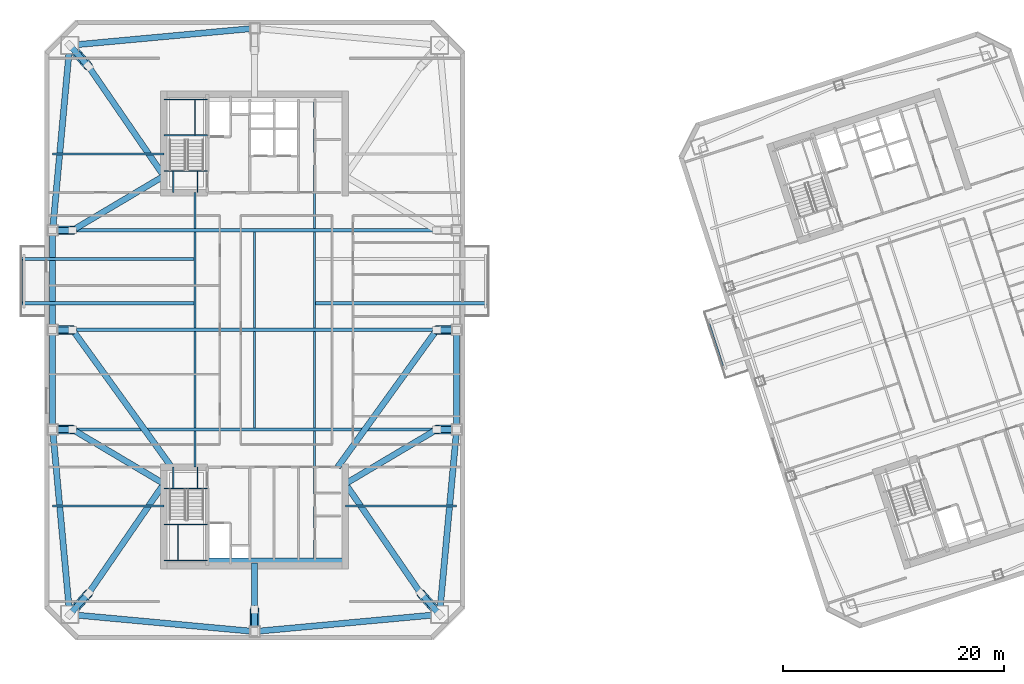
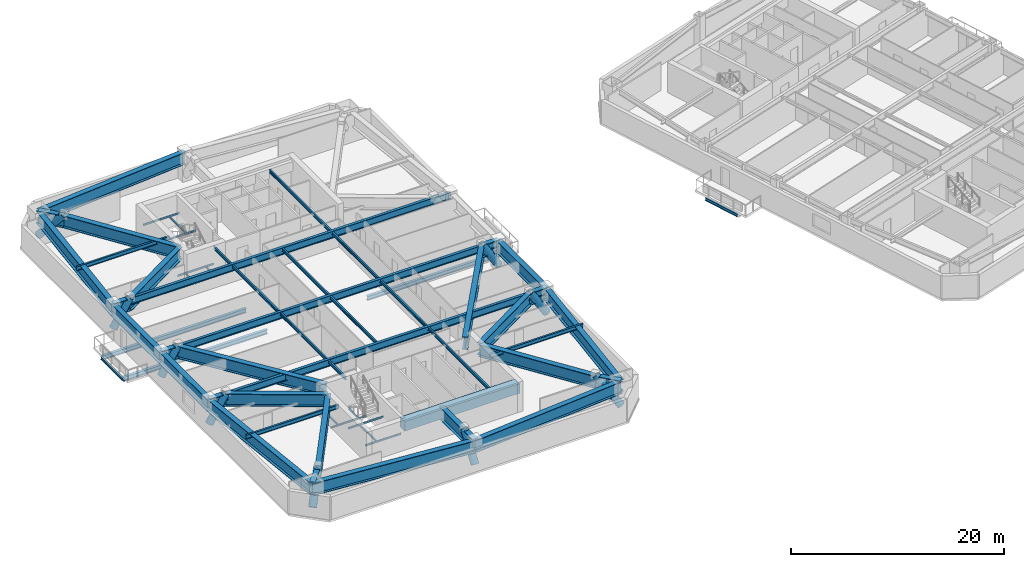
# One storey, part 3 of 17: 61 beams, 9 members.
"""IFC4 building model written with IfcOpenShell, lengths in metres."""

from ifc_helpers import new_model, si_unit, direction, frame, origin, origin_2d, place, context, subcontext, project, spatial, rectangle, hollow_circle, i_section, extrude, material, material_profile, profile_set, type_object, element, save


model = new_model("IFC4")

# Units and contexts
model_context = context("Model", 3, precision=1e-05, world=origin(), true_north=direction((0.0, 1.0)))
body_context = subcontext(model_context, "Body", "Model", "MODEL_VIEW")
ifc_project = project(units=[si_unit("LENGTHUNIT", "METRE"), si_unit("AREAUNIT", "SQUARE_METRE"), si_unit("VOLUMEUNIT", "CUBIC_METRE"), si_unit("PLANEANGLEUNIT", "RADIAN"), si_unit("MASSUNIT", "GRAM", prefix="KILO")], contexts=[model_context])

# Site, building, storey
site_placement = place(None, origin())
site = spatial("IfcSite", under=ifc_project, at=site_placement, CompositionType="ELEMENT")
building_placement = place(site_placement, origin())
building = spatial("IfcBuilding", under=site, at=building_placement, Name="Qiaolan Cultural Towers", CompositionType="ELEMENT")
storey_placement = place(building_placement, frame((0.0, 0.0, 156.39990234375)))
storey = spatial("IfcBuildingStorey", under=building, at=storey_placement, Name="L41", CompositionType="ELEMENT", Elevation=156.39990234375)

# Beams
ifc_material_1 = material(Name="Steel Q420GJB", Category="steel")
ifc_material_profile_1 = material_profile(ifc_material_1, i_section(OverallWidth=0.550048828125, OverallDepth=1.39990234375, WebThickness=0.031982421875, FlangeThickness=0.050048828125, at=origin_2d()), Name="BH1400x550x32x50")
ifc_profile_set_1 = profile_set([ifc_material_profile_1], Name="Steel Q420GJB")
beam_type_1 = type_object("IfcBeamType", Name="BM-BH1400x550x32x50", PredefinedType="BEAM", material=ifc_profile_set_1)
beam_1_placement = place(storey_placement, frame((13.2900390625, 8.2900390625, 2.530029296875), z_axis=(0.666572456248, 0.745440246145, 0.0), x_axis=(-0.745440246145, 0.666572456248, 0.0)))
element("IfcBeam", 1, at=beam_1_placement, inside=storey, type_object=beam_type_1, Name="L41 T1 Setback Transfer Girder MC-SW-A", PredefinedType="BEAM", context=body_context, shape_type="SweptSolid", body=[
    extrude(i_section(OverallWidth=0.550048828125, OverallDepth=1.39990234375, WebThickness=0.031982421875, FlangeThickness=0.050048828125, at=origin_2d()), origin(), (0.0, 0.0, 1.0), 2.53515625),
])
beam_2_placement = place(storey_placement, frame((14.97998046875, 10.179931640625, 2.530029296875), z_axis=(0.566526240795, 0.824043699382, 0.0), x_axis=(-0.824043699382, 0.566526240795, 0.0)))
element("IfcBeam", 2, at=beam_2_placement, inside=storey, type_object=beam_type_1, Name="L41 T1 Setback Transfer Girder MC-SW-B", PredefinedType="BEAM", context=body_context, shape_type="SweptSolid", body=[
    extrude(i_section(OverallWidth=0.550048828125, OverallDepth=1.39990234375, WebThickness=0.031982421875, FlangeThickness=0.050048828125, at=origin_2d()), origin(), (0.0, 0.0, 1.0), 12.038330078125),
])
beam_3_placement = place(storey_placement, frame((46.7099609375, 8.2900390625, 2.530029296875), z_axis=(-0.666572456248, 0.745440246145, 0.0), x_axis=(-0.745440246145, -0.666572456248, 0.0)))
element("IfcBeam", 3, at=beam_3_placement, inside=storey, type_object=beam_type_1, Name="L41 T1 Setback Transfer Girder MC-SE-A", PredefinedType="BEAM", context=body_context, shape_type="SweptSolid", body=[
    extrude(i_section(OverallWidth=0.550048828125, OverallDepth=1.39990234375, WebThickness=0.031982421875, FlangeThickness=0.050048828125, at=origin_2d()), origin(), (0.0, 0.0, 1.0), 2.53515625),
])
beam_4_placement = place(storey_placement, frame((45.02001953125, 10.179931640625, 2.530029296875), z_axis=(-0.566526240795, 0.824043699382, 0.0), x_axis=(-0.824043699382, -0.566526240795, 0.0)))
element("IfcBeam", 4, at=beam_4_placement, inside=storey, type_object=beam_type_1, Name="L41 T1 Setback Transfer Girder MC-SE-B", PredefinedType="BEAM", context=body_context, shape_type="SweptSolid", body=[
    extrude(i_section(OverallWidth=0.550048828125, OverallDepth=1.39990234375, WebThickness=0.031982421875, FlangeThickness=0.050048828125, at=origin_2d()), origin(), (0.0, 0.0, 1.0), 12.038330078125),
])
beam_5_placement = place(storey_placement, frame((13.2900390625, 59.7099609375, 2.530029296875), z_axis=(0.666572456248, -0.745440246145, 0.0), x_axis=(0.745440246145, 0.666572456248, 0.0)))
element("IfcBeam", 5, at=beam_5_placement, inside=storey, type_object=beam_type_1, Name="L41 T1 Setback Transfer Girder MC-NW-A", PredefinedType="BEAM", context=body_context, shape_type="SweptSolid", body=[
    extrude(i_section(OverallWidth=0.550048828125, OverallDepth=1.39990234375, WebThickness=0.031982421875, FlangeThickness=0.050048828125, at=origin_2d()), origin(), (0.0, 0.0, 1.0), 2.53515625),
])
beam_6_placement = place(storey_placement, frame((14.97998046875, 57.820068359375, 2.530029296875), z_axis=(0.566526240795, -0.824043699382, 0.0), x_axis=(0.824043699382, 0.566526240795, 0.0)))
element("IfcBeam", 6, at=beam_6_placement, inside=storey, type_object=beam_type_1, Name="L41 T1 Setback Transfer Girder MC-NW-B", PredefinedType="BEAM", context=body_context, shape_type="SweptSolid", body=[
    extrude(i_section(OverallWidth=0.550048828125, OverallDepth=1.39990234375, WebThickness=0.031982421875, FlangeThickness=0.050048828125, at=origin_2d()), origin(), (0.0, 0.0, 1.0), 12.038330078125),
])
beam_7_placement = place(storey_placement, frame((11.75, 25.0, 2.530029296875), z_axis=(1.0, 0.0, 0.0), x_axis=(0.0, 1.0, 0.0)))
element("IfcBeam", 7, at=beam_7_placement, inside=storey, type_object=beam_type_1, Name="L41 T1 Setback Transfer Girder PC-W1-A", PredefinedType="BEAM", context=body_context, shape_type="SweptSolid", body=[
    extrude(i_section(OverallWidth=0.550048828125, OverallDepth=1.39990234375, WebThickness=0.031982421875, FlangeThickness=0.050048828125, at=origin_2d()), origin(), (0.0, 0.0, 1.0), 1.800048828125),
])
beam_8_placement = place(storey_placement, frame((13.550048828125, 25.0, 2.530029296875), z_axis=(0.859787719832, -0.510651619822, 0.0), x_axis=(0.510651619822, 0.859787719832, 0.0)))
element("IfcBeam", 8, at=beam_8_placement, inside=storey, type_object=beam_type_1, Name="L41 T1 Setback Transfer Girder PC-W1-B", PredefinedType="BEAM", context=body_context, shape_type="SweptSolid", body=[
    extrude(i_section(OverallWidth=0.550048828125, OverallDepth=1.39990234375, WebThickness=0.031982421875, FlangeThickness=0.050048828125, at=origin_2d()), origin(), (0.0, 0.0, 1.0), 9.595458984375),
])
beam_9_placement = place(storey_placement, frame((11.75, 34.0, 2.530029296875), z_axis=(1.0, 0.0, 0.0), x_axis=(0.0, 1.0, 0.0)))
element("IfcBeam", 9, at=beam_9_placement, inside=storey, type_object=beam_type_1, Name="L41 T1 Setback Transfer Girder PC-W2-A", PredefinedType="BEAM", context=body_context, shape_type="SweptSolid", body=[
    extrude(i_section(OverallWidth=0.550048828125, OverallDepth=1.39990234375, WebThickness=0.031982421875, FlangeThickness=0.050048828125, at=origin_2d()), origin(), (0.0, 0.0, 1.0), 1.800048828125),
])
beam_10_placement = place(storey_placement, frame((13.550048828125, 34.0, 2.530029296875), z_axis=(0.585252708545, -0.810850952482, 0.0), x_axis=(0.810850952482, 0.585252708545, 0.0)))
element("IfcBeam", 10, at=beam_10_placement, inside=storey, type_object=beam_type_1, Name="L41 T1 Setback Transfer Girder PC-W2-B", PredefinedType="BEAM", context=body_context, shape_type="SweptSolid", body=[
    extrude(i_section(OverallWidth=0.550048828125, OverallDepth=1.39990234375, WebThickness=0.031982421875, FlangeThickness=0.050048828125, at=origin_2d()), origin(), (0.0, 0.0, 1.0), 15.29248046875),
])
beam_11_placement = place(storey_placement, frame((11.75, 43.0, 2.530029296875), z_axis=(1.0, 0.0, 0.0), x_axis=(0.0, 1.0, 0.0)))
element("IfcBeam", 11, at=beam_11_placement, inside=storey, type_object=beam_type_1, Name="L41 T1 Setback Transfer Girder PC-W3-A", PredefinedType="BEAM", context=body_context, shape_type="SweptSolid", body=[
    extrude(i_section(OverallWidth=0.550048828125, OverallDepth=1.39990234375, WebThickness=0.031982421875, FlangeThickness=0.050048828125, at=origin_2d()), origin(), (0.0, 0.0, 1.0), 1.800048828125),
])
beam_12_placement = place(storey_placement, frame((13.550048828125, 43.0, 2.530029296875), z_axis=(0.859787719832, 0.510651619822, 0.0), x_axis=(-0.510651619822, 0.859787719832, 0.0)))
element("IfcBeam", 12, at=beam_12_placement, inside=storey, type_object=beam_type_1, Name="L41 T1 Setback Transfer Girder PC-W3-B", PredefinedType="BEAM", context=body_context, shape_type="SweptSolid", body=[
    extrude(i_section(OverallWidth=0.550048828125, OverallDepth=1.39990234375, WebThickness=0.031982421875, FlangeThickness=0.050048828125, at=origin_2d()), origin(), (0.0, 0.0, 1.0), 9.595458984375),
])
beam_13_placement = place(storey_placement, frame((48.25, 25.0, 2.530029296875), z_axis=(-1.0, 0.0, 0.0), x_axis=(0.0, -1.0, 0.0)))
element("IfcBeam", 13, at=beam_13_placement, inside=storey, type_object=beam_type_1, Name="L41 T1 Setback Transfer Girder PC-E1-A", PredefinedType="BEAM", context=body_context, shape_type="SweptSolid", body=[
    extrude(i_section(OverallWidth=0.550048828125, OverallDepth=1.39990234375, WebThickness=0.031982421875, FlangeThickness=0.050048828125, at=origin_2d()), origin(), (0.0, 0.0, 1.0), 1.800048828125),
])
beam_14_placement = place(storey_placement, frame((46.449951171875, 25.0, 2.530029296875), z_axis=(-0.859787719832, -0.510651619822, 0.0), x_axis=(0.510651619822, -0.859787719832, 0.0)))
element("IfcBeam", 14, at=beam_14_placement, inside=storey, type_object=beam_type_1, Name="L41 T1 Setback Transfer Girder PC-E1-B", PredefinedType="BEAM", context=body_context, shape_type="SweptSolid", body=[
    extrude(i_section(OverallWidth=0.550048828125, OverallDepth=1.39990234375, WebThickness=0.031982421875, FlangeThickness=0.050048828125, at=origin_2d()), origin(), (0.0, 0.0, 1.0), 9.595458984375),
])
beam_15_placement = place(storey_placement, frame((48.25, 34.0, 2.530029296875), z_axis=(-1.0, 0.0, 0.0), x_axis=(0.0, -1.0, 0.0)))
element("IfcBeam", 15, at=beam_15_placement, inside=storey, type_object=beam_type_1, Name="L41 T1 Setback Transfer Girder PC-E2-A", PredefinedType="BEAM", context=body_context, shape_type="SweptSolid", body=[
    extrude(i_section(OverallWidth=0.550048828125, OverallDepth=1.39990234375, WebThickness=0.031982421875, FlangeThickness=0.050048828125, at=origin_2d()), origin(), (0.0, 0.0, 1.0), 1.800048828125),
])
beam_16_placement = place(storey_placement, frame((46.449951171875, 34.0, 2.530029296875), z_axis=(-0.585252708545, -0.810850952482, 0.0), x_axis=(0.810850952482, -0.585252708545, 0.0)))
element("IfcBeam", 16, at=beam_16_placement, inside=storey, type_object=beam_type_1, Name="L41 T1 Setback Transfer Girder PC-E2-B", PredefinedType="BEAM", context=body_context, shape_type="SweptSolid", body=[
    extrude(i_section(OverallWidth=0.550048828125, OverallDepth=1.39990234375, WebThickness=0.031982421875, FlangeThickness=0.050048828125, at=origin_2d()), origin(), (0.0, 0.0, 1.0), 15.29248046875),
])
beam_17_placement = place(storey_placement, frame((30.0, 6.75, 2.530029296875), z_axis=(0.0, 1.0, 0.0), x_axis=(-1.0, 0.0, 0.0)))
element("IfcBeam", 17, at=beam_17_placement, inside=storey, type_object=beam_type_1, Name="L41 T1 Setback Transfer Girder PC-S0-A", PredefinedType="BEAM", context=body_context, shape_type="SweptSolid", body=[
    extrude(i_section(OverallWidth=0.550048828125, OverallDepth=1.39990234375, WebThickness=0.031982421875, FlangeThickness=0.050048828125, at=origin_2d()), origin(), (0.0, 0.0, 1.0), 2.0),
])
beam_18_placement = place(storey_placement, frame((30.0, 8.75, 2.530029296875), z_axis=(0.0, 1.0, 0.0), x_axis=(-1.0, 0.0, 0.0)))
element("IfcBeam", 18, at=beam_18_placement, inside=storey, type_object=beam_type_1, Name="L41 T1 Setback Transfer Girder PC-S0-B", PredefinedType="BEAM", context=body_context, shape_type="SweptSolid", body=[
    extrude(i_section(OverallWidth=0.550048828125, OverallDepth=1.39990234375, WebThickness=0.031982421875, FlangeThickness=0.050048828125, at=origin_2d()), origin(), (0.0, 0.0, 1.0), 4.199951171875),
])
for number, where, z_axis, x_axis, name in (
    (19, (13.2900390625, 8.2900390625, 2.489990234375), (0.995779862064, -0.09177399582, 0.0), (0.09177399582, 0.995779862064, 0.0), "L41 T1 Perimeter Spandrel Beam 1"),
    (20, (30.0, 6.75, 2.489990234375), (0.995779862064, 0.09177399582, 0.0), (-0.09177399582, 0.995779862064, 0.0), "L41 T1 Perimeter Spandrel Beam 2"),
    (21, (46.7099609375, 8.2900390625, 2.489990234375), (0.09177399582, 0.995779862064, 0.0), (-0.995779862064, 0.09177399582, 0.0), "L41 T1 Perimeter Spandrel Beam 3"),
):
    element("IfcBeam", number, at=place(storey_placement, frame(where, z_axis=z_axis, x_axis=x_axis)), inside=storey, type_object=beam_type_1, Name=name, PredefinedType="BEAM", context=body_context, shape_type="SweptSolid", body=[
        extrude(i_section(OverallWidth=0.550048828125, OverallDepth=1.39990234375, WebThickness=0.031982421875, FlangeThickness=0.050048828125, at=origin_2d()), origin(), (0.0, 0.0, 1.0), 16.78076171875),
    ])
beam_19_placement = place(storey_placement, frame((48.25, 25.0, 2.489990234375), z_axis=(0.0, 1.0, 0.0), x_axis=(-1.0, 0.0, 0.0)))
element("IfcBeam", 22, at=beam_19_placement, inside=storey, type_object=beam_type_1, Name="L41 T1 Perimeter Spandrel Beam 4", PredefinedType="BEAM", context=body_context, shape_type="SweptSolid", body=[
    extrude(i_section(OverallWidth=0.550048828125, OverallDepth=1.39990234375, WebThickness=0.031982421875, FlangeThickness=0.050048828125, at=origin_2d()), origin(), (0.0, 0.0, 1.0), 9.0),
])
for number, where, z_axis, x_axis, name in (
    (23, (30.0, 61.25, 2.489990234375), (-0.995779862064, -0.09177399582, 0.0), (0.09177399582, -0.995779862064, 0.0), "L41 T1 Perimeter Spandrel Beam 8"),
    (24, (13.2900390625, 59.7099609375, 2.489990234375), (-0.09177399582, -0.995779862064, 0.0), (0.995779862064, -0.09177399582, 0.0), "L41 T1 Perimeter Spandrel Beam 9"),
):
    element("IfcBeam", number, at=place(storey_placement, frame(where, z_axis=z_axis, x_axis=x_axis)), inside=storey, type_object=beam_type_1, Name=name, PredefinedType="BEAM", context=body_context, shape_type="SweptSolid", body=[
        extrude(i_section(OverallWidth=0.550048828125, OverallDepth=1.39990234375, WebThickness=0.031982421875, FlangeThickness=0.050048828125, at=origin_2d()), origin(), (0.0, 0.0, 1.0), 16.78076171875),
    ])
for number, where, z_axis, x_axis, name in (
    (25, (11.75, 43.0, 2.489990234375), (0.0, -1.0, 0.0), (1.0, 0.0, 0.0), "L41 T1 Perimeter Spandrel Beam 10"),
    (26, (11.75, 34.0, 2.489990234375), (0.0, -1.0, 0.0), (1.0, 0.0, 0.0), "L41 T1 Perimeter Spandrel Beam 11"),
):
    element("IfcBeam", number, at=place(storey_placement, frame(where, z_axis=z_axis, x_axis=x_axis)), inside=storey, type_object=beam_type_1, Name=name, PredefinedType="BEAM", context=body_context, shape_type="SweptSolid", body=[
        extrude(i_section(OverallWidth=0.550048828125, OverallDepth=1.39990234375, WebThickness=0.031982421875, FlangeThickness=0.050048828125, at=origin_2d()), origin(), (0.0, 0.0, 1.0), 9.0),
    ])
beam_20_placement = place(storey_placement, frame((11.75, 25.0, 2.489990234375), z_axis=(0.09177399582, -0.995779862064, 0.0), x_axis=(0.995779862064, 0.09177399582, 0.0)))
element("IfcBeam", 27, at=beam_20_placement, inside=storey, type_object=beam_type_1, Name="L41 T1 Perimeter Spandrel Beam 12", PredefinedType="BEAM", context=body_context, shape_type="SweptSolid", body=[
    extrude(i_section(OverallWidth=0.550048828125, OverallDepth=1.39990234375, WebThickness=0.031982421875, FlangeThickness=0.050048828125, at=origin_2d()), origin(), (0.0, 0.0, 1.0), 16.78076171875),
])
ifc_material_2 = material(Name="Steel Q355B", Category="steel")
ifc_material_profile_2 = material_profile(ifc_material_2, i_section(OverallWidth=0.300048828125, OverallDepth=0.488037109375, WebThickness=0.010986328125, FlangeThickness=0.01806640625, at=origin_2d()), Name="HM488x300x11x18")
ifc_profile_set_2 = profile_set([ifc_material_profile_2], Name="Steel Q355B")
beam_type_2 = type_object("IfcBeamType", Name="BM-HM488x300x11x18", PredefinedType="BEAM", material=ifc_profile_set_2)
for number, where, z_axis, x_axis, name in (
    (28, (24.60009765625, 36.39990234375, -0.52392578125), (-1.0, 0.0, 0.0), (0.0, -1.0, 0.0), "L41 T1 Tree Balcony Back-Spanned Bracket Beam"),
    (29, (24.60009765625, 40.39990234375, -0.52392578125), (-1.0, 0.0, 0.0), (0.0, -1.0, 0.0), "L41 T1 Tree Balcony Back-Spanned Bracket Beam"),
    (30, (35.39990234375, 36.39990234375, -0.52392578125), (1.0, 0.0, 0.0), (0.0, 1.0, 0.0), "L41 T1 Tree Balcony Back-Spanned Bracket Beam"),
):
    element("IfcBeam", number, at=place(storey_placement, frame(where, z_axis=z_axis, x_axis=x_axis)), inside=storey, type_object=beam_type_2, Name=name, PredefinedType="BEAM", context=body_context, shape_type="SweptSolid", body=[
        extrude(i_section(OverallWidth=0.300048828125, OverallDepth=0.488037109375, WebThickness=0.010986328125, FlangeThickness=0.01806640625, at=origin_2d()), origin(), (0.0, 0.0, 1.0), 15.650146484375),
    ])
ifc_material_3 = material(Name="Steel Q355B", Category="steel")
ifc_material_profile_3 = material_profile(ifc_material_3, i_section(OverallWidth=0.300048828125, OverallDepth=0.800048828125, WebThickness=0.013916015625, FlangeThickness=0.02587890625, at=origin_2d()), Name="HN800x300x14x26")
ifc_profile_set_3 = profile_set([ifc_material_profile_3], Name="Steel Q355B")
beam_type_3 = type_object("IfcBeamType", Name="BM-HN800x300x14x26", PredefinedType="BEAM", material=ifc_profile_set_3)
for number, where, z_axis, x_axis, name in (
    (31, (11.75, 25.0, 2.7900390625), (1.0, 0.0, 0.0), (0.0, 1.0, 0.0), "L41 T1 Primary Transverse Girder V1"),
    (32, (11.75, 34.0, 2.7900390625), (1.0, 0.0, 0.0), (0.0, 1.0, 0.0), "L41 T1 Primary Transverse Girder V2"),
    (33, (11.75, 43.0, 2.7900390625), (1.0, 0.0, 0.0), (0.0, 1.0, 0.0), "L41 T1 Primary Transverse Girder V3"),
):
    element("IfcBeam", number, at=place(storey_placement, frame(where, z_axis=z_axis, x_axis=x_axis)), inside=storey, type_object=beam_type_3, Name=name, PredefinedType="BEAM", context=body_context, shape_type="SweptSolid", body=[
        extrude(i_section(OverallWidth=0.300048828125, OverallDepth=0.800048828125, WebThickness=0.013916015625, FlangeThickness=0.02587890625, at=origin_2d()), origin(), (0.0, 0.0, 1.0), 36.5),
    ])
ifc_material_4 = material(Name="Steel Q355B", Category="steel")
ifc_material_profile_4 = material_profile(ifc_material_4, i_section(OverallWidth=0.175048828125, OverallDepth=0.35009765625, WebThickness=0.007080078125, FlangeThickness=0.010986328125, at=origin_2d()), Name="HN350x175x7x11")
ifc_profile_set_4 = profile_set([ifc_material_profile_4], Name="Steel Q355B")
beam_type_4 = type_object("IfcBeamType", Name="BM-JST-HN350x175x7x11", PredefinedType="JOIST", material=ifc_profile_set_4)
for number, where, z_axis, x_axis, name in (
    (34, (8.949951171875, 36.39990234375, -0.52392578125), (0.0, 1.0, 0.0), (-1.0, 0.0, 0.0), "L41 T1 Tree Balcony Outer Edge Beam"),
    (35, (72.281982421875, 30.7666015625, -0.52392578125), (-0.309022586479, 0.951054699292, 0.0), (-0.951054699292, -0.309022586479, 0.0), "L41 T2 Tree Balcony Outer Edge Beam"),
):
    element("IfcBeam", number, at=place(storey_placement, frame(where, z_axis=z_axis, x_axis=x_axis)), inside=storey, type_object=beam_type_4, Name=name, PredefinedType="JOIST", context=body_context, shape_type="SweptSolid", body=[
        extrude(i_section(OverallWidth=0.175048828125, OverallDepth=0.35009765625, WebThickness=0.007080078125, FlangeThickness=0.010986328125, at=origin_2d()), origin(), (0.0, 0.0, 1.0), 4.0),
    ])
beam_21_placement = place(storey_placement, frame((24.60009765625, 21.60009765625, 3.01513671875), z_axis=(0.0, 1.0, 0.0), x_axis=(-1.0, 0.0, 0.0)))
element("IfcBeam", 36, at=beam_21_placement, inside=storey, type_object=beam_type_4, Name="L41 T1 Secondary Floor Joist U1-1", PredefinedType="JOIST", context=body_context, shape_type="SweptSolid", body=[
    extrude(i_section(OverallWidth=0.175048828125, OverallDepth=0.35009765625, WebThickness=0.007080078125, FlangeThickness=0.010986328125, at=origin_2d()), origin(), (0.0, 0.0, 1.0), 3.25),
])
for number, where, z_axis, x_axis, name in (
    (37, (24.60009765625, 25.14990234375, 3.01513671875), (0.0, 1.0, 0.0), (-1.0, 0.0, 0.0), "L41 T1 Secondary Floor Joist U1-2"),
    (38, (24.60009765625, 34.14990234375, 3.01513671875), (0.0, 1.0, 0.0), (-1.0, 0.0, 0.0), "L41 T1 Secondary Floor Joist U1-3"),
):
    element("IfcBeam", number, at=place(storey_placement, frame(where, z_axis=z_axis, x_axis=x_axis)), inside=storey, type_object=beam_type_4, Name=name, PredefinedType="JOIST", context=body_context, shape_type="SweptSolid", body=[
        extrude(i_section(OverallWidth=0.175048828125, OverallDepth=0.35009765625, WebThickness=0.007080078125, FlangeThickness=0.010986328125, at=origin_2d()), origin(), (0.0, 0.0, 1.0), 8.7001953125),
    ])
beam_22_placement = place(storey_placement, frame((24.60009765625, 43.14990234375, 3.01513671875), z_axis=(0.0, 1.0, 0.0), x_axis=(-1.0, 0.0, 0.0)))
element("IfcBeam", 39, at=beam_22_placement, inside=storey, type_object=beam_type_4, Name="L41 T1 Secondary Floor Joist U1-4", PredefinedType="JOIST", context=body_context, shape_type="SweptSolid", body=[
    extrude(i_section(OverallWidth=0.175048828125, OverallDepth=0.35009765625, WebThickness=0.007080078125, FlangeThickness=0.010986328125, at=origin_2d()), origin(), (0.0, 0.0, 1.0), 3.25),
])
for number, where, z_axis, x_axis, name in (
    (40, (30.0, 25.14990234375, 3.01513671875), (0.0, 1.0, 0.0), (-1.0, 0.0, 0.0), "L41 T1 Secondary Floor Joist U2-2"),
    (41, (30.0, 34.14990234375, 3.01513671875), (0.0, 1.0, 0.0), (-1.0, 0.0, 0.0), "L41 T1 Secondary Floor Joist U2-3"),
):
    element("IfcBeam", number, at=place(storey_placement, frame(where, z_axis=z_axis, x_axis=x_axis)), inside=storey, type_object=beam_type_4, Name=name, PredefinedType="JOIST", context=body_context, shape_type="SweptSolid", body=[
        extrude(i_section(OverallWidth=0.175048828125, OverallDepth=0.35009765625, WebThickness=0.007080078125, FlangeThickness=0.010986328125, at=origin_2d()), origin(), (0.0, 0.0, 1.0), 8.7001953125),
    ])
beam_23_placement = place(storey_placement, frame((35.39990234375, 13.39990234375, 3.01513671875), z_axis=(0.0, 1.0, 0.0), x_axis=(-1.0, 0.0, 0.0)))
element("IfcBeam", 42, at=beam_23_placement, inside=storey, type_object=beam_type_4, Name="L41 T1 Secondary Floor Joist U3-1", PredefinedType="JOIST", context=body_context, shape_type="SweptSolid", body=[
    extrude(i_section(OverallWidth=0.175048828125, OverallDepth=0.35009765625, WebThickness=0.007080078125, FlangeThickness=0.010986328125, at=origin_2d()), origin(), (0.0, 0.0, 1.0), 11.4501953125),
])
for number, where, z_axis, x_axis, name in (
    (43, (35.39990234375, 25.14990234375, 3.01513671875), (0.0, 1.0, 0.0), (-1.0, 0.0, 0.0), "L41 T1 Secondary Floor Joist U3-2"),
    (44, (35.39990234375, 34.14990234375, 3.01513671875), (0.0, 1.0, 0.0), (-1.0, 0.0, 0.0), "L41 T1 Secondary Floor Joist U3-3"),
):
    element("IfcBeam", number, at=place(storey_placement, frame(where, z_axis=z_axis, x_axis=x_axis)), inside=storey, type_object=beam_type_4, Name=name, PredefinedType="JOIST", context=body_context, shape_type="SweptSolid", body=[
        extrude(i_section(OverallWidth=0.175048828125, OverallDepth=0.35009765625, WebThickness=0.007080078125, FlangeThickness=0.010986328125, at=origin_2d()), origin(), (0.0, 0.0, 1.0), 8.7001953125),
    ])
beam_24_placement = place(storey_placement, frame((35.39990234375, 43.14990234375, 3.01513671875), z_axis=(0.0, 1.0, 0.0), x_axis=(-1.0, 0.0, 0.0)))
element("IfcBeam", 45, at=beam_24_placement, inside=storey, type_object=beam_type_4, Name="L41 T1 Secondary Floor Joist U3-4", PredefinedType="JOIST", context=body_context, shape_type="SweptSolid", body=[
    extrude(i_section(OverallWidth=0.175048828125, OverallDepth=0.35009765625, WebThickness=0.007080078125, FlangeThickness=0.010986328125, at=origin_2d()), origin(), (0.0, 0.0, 1.0), 11.4501953125),
])
ifc_material_5 = material(Name="Steel Q355B", Category="steel")
ifc_material_profile_5 = material_profile(ifc_material_5, i_section(OverallWidth=0.199951171875, OverallDepth=0.449951171875, WebThickness=0.009033203125, FlangeThickness=0.013916015625, at=origin_2d()), Name="HN450x200x9x14")
ifc_profile_set_5 = profile_set([ifc_material_profile_5], Name="Steel Q355B")
beam_type_5 = type_object("IfcBeamType", Name="BM-LNT-HN450x200x9x14", PredefinedType="LINTEL", material=ifc_profile_set_5)
for number, where, z_axis, x_axis, name in (
    (46, (21.800048828125, 18.10009765625, 2.965087890625), (-1.0, 0.0, 0.0), (0.0, -1.0, 0.0), "L41 T1 Core Flank Tie Lintel WS"),
    (47, (21.800048828125, 49.89990234375, 2.965087890625), (-1.0, 0.0, 0.0), (0.0, -1.0, 0.0), "L41 T1 Core Flank Tie Lintel WN"),
    (48, (38.199951171875, 18.10009765625, 2.965087890625), (1.0, 0.0, 0.0), (0.0, 1.0, 0.0), "L41 T1 Core Flank Tie Lintel ES"),
):
    element("IfcBeam", number, at=place(storey_placement, frame(where, z_axis=z_axis, x_axis=x_axis)), inside=storey, type_object=beam_type_5, Name=name, PredefinedType="LINTEL", context=body_context, shape_type="SweptSolid", body=[
        extrude(i_section(OverallWidth=0.199951171875, OverallDepth=0.449951171875, WebThickness=0.009033203125, FlangeThickness=0.013916015625, at=origin_2d()), origin(), (0.0, 0.0, 1.0), 10.050048828125),
    ])
ifc_material_6 = material(Name="Concrete C50", Category="concrete")
ifc_material_profile_6 = material_profile(ifc_material_6, rectangle(XDim=0.89990234375, YDim=1.10009765625, at=origin_2d()), Name="RC900x1100")
ifc_profile_set_6 = profile_set([ifc_material_profile_6], Name="Concrete C50")
beam_type_6 = type_object("IfcBeamType", Name="BM-RC900x1100", PredefinedType="BEAM", material=ifc_profile_set_6)
beam_25_placement = place(storey_placement, frame((25.719970703125, 12.949951171875, 2.64013671875), z_axis=(1.0, 0.0, 0.0), x_axis=(0.0, 1.0, 0.0)))
element("IfcBeam", 49, at=beam_25_placement, inside=storey, type_object=beam_type_6, Name="L41 T1 Core Header Girder S", PredefinedType="BEAM", context=body_context, shape_type="SweptSolid", body=[
    extrude(rectangle(XDim=0.89990234375, YDim=1.10009765625, at=origin_2d()), origin(), (0.0, 0.0, 1.0), 12.47998046875),
])
ifc_material_7 = material(Name="Steel Q355B", Category="steel")
ifc_material_profile_7 = material_profile(ifc_material_7, i_section(OverallWidth=0.10009765625, OverallDepth=0.199951171875, WebThickness=0.005615234375, FlangeThickness=0.008056640625, at=origin_2d()), Name="HN200x100x5.5x8")
ifc_profile_set_7 = profile_set([ifc_material_profile_7], Name="Steel Q355B")
beam_type_7 = type_object("IfcBeamType", Name="BM-STTRIM-200", PredefinedType="BEAM", material=ifc_profile_set_7)
beam_26_placement = place(storey_placement, frame((21.800048828125, 19.659912109375, -0.4599609375), z_axis=(1.0, 0.0, 0.0), x_axis=(0.0, 1.0, 0.0)))
element("IfcBeam", 50, at=beam_26_placement, inside=storey, type_object=beam_type_7, Name="L41 ST-W1 Floor Landing Header Beam", PredefinedType="BEAM", context=body_context, shape_type="SweptSolid", body=[
    extrude(i_section(OverallWidth=0.10009765625, OverallDepth=0.199951171875, WebThickness=0.005615234375, FlangeThickness=0.008056640625, at=origin_2d()), origin(), (0.0, 0.0, 1.0), 3.919921875),
])
for number, where, z_axis, x_axis, name in (
    (51, (22.64990234375, 21.60009765625, -0.4599609375), (0.0, -1.0, 0.0), (1.0, 0.0, 0.0), "L41 ST-W1 Floor Landing Stringer 1"),
    (52, (24.85009765625, 21.60009765625, -0.4599609375), (0.0, -1.0, 0.0), (1.0, 0.0, 0.0), "L41 ST-W1 Floor Landing Stringer 2"),
):
    element("IfcBeam", number, at=place(storey_placement, frame(where, z_axis=z_axis, x_axis=x_axis)), inside=storey, type_object=beam_type_7, Name=name, PredefinedType="BEAM", context=body_context, shape_type="SweptSolid", body=[
        extrude(i_section(OverallWidth=0.10009765625, OverallDepth=0.199951171875, WebThickness=0.005615234375, FlangeThickness=0.008056640625, at=origin_2d()), origin(), (0.0, 0.0, 1.0), 1.940185546875),
    ])
for number, where, z_axis, x_axis, name in (
    (53, (21.800048828125, 16.411376953125, 1.425048828125), (1.0, 0.0, 0.0), (0.0, 1.0, 0.0), "L41 ST-W1 Stair Landing Support Beam 1-1"),
    (54, (21.800048828125, 13.179931640625, 1.425048828125), (1.0, 0.0, 0.0), (0.0, 1.0, 0.0), "L41 ST-W1 Stair Landing Support Beam 1-2"),
):
    element("IfcBeam", number, at=place(storey_placement, frame(where, z_axis=z_axis, x_axis=x_axis)), inside=storey, type_object=beam_type_7, Name=name, PredefinedType="BEAM", context=body_context, shape_type="SweptSolid", body=[
        extrude(i_section(OverallWidth=0.10009765625, OverallDepth=0.199951171875, WebThickness=0.005615234375, FlangeThickness=0.008056640625, at=origin_2d()), origin(), (0.0, 0.0, 1.0), 3.919921875),
    ])
beam_27_placement = place(storey_placement, frame((23.070068359375, 16.411376953125, 1.425048828125), z_axis=(0.0, -1.0, 0.0), x_axis=(1.0, 0.0, 0.0)))
element("IfcBeam", 55, at=beam_27_placement, inside=storey, type_object=beam_type_7, Name="L41 ST-W1 Stair Landing Trimmer 1", PredefinedType="BEAM", context=body_context, shape_type="SweptSolid", body=[
    extrude(i_section(OverallWidth=0.10009765625, OverallDepth=0.199951171875, WebThickness=0.005615234375, FlangeThickness=0.008056640625, at=origin_2d()), origin(), (0.0, 0.0, 1.0), 3.2314453125),
])
beam_28_placement = place(storey_placement, frame((21.800048828125, 48.340087890625, -0.4599609375), z_axis=(1.0, 0.0, 0.0), x_axis=(0.0, 1.0, 0.0)))
element("IfcBeam", 56, at=beam_28_placement, inside=storey, type_object=beam_type_7, Name="L41 ST-W2 Floor Landing Header Beam", PredefinedType="BEAM", context=body_context, shape_type="SweptSolid", body=[
    extrude(i_section(OverallWidth=0.10009765625, OverallDepth=0.199951171875, WebThickness=0.005615234375, FlangeThickness=0.008056640625, at=origin_2d()), origin(), (0.0, 0.0, 1.0), 3.919921875),
])
for number, where, z_axis, x_axis, name in (
    (57, (22.64990234375, 46.39990234375, -0.4599609375), (0.0, 1.0, 0.0), (-1.0, 0.0, 0.0), "L41 ST-W2 Floor Landing Stringer 1"),
    (58, (24.85009765625, 46.39990234375, -0.4599609375), (0.0, 1.0, 0.0), (-1.0, 0.0, 0.0), "L41 ST-W2 Floor Landing Stringer 2"),
):
    element("IfcBeam", number, at=place(storey_placement, frame(where, z_axis=z_axis, x_axis=x_axis)), inside=storey, type_object=beam_type_7, Name=name, PredefinedType="BEAM", context=body_context, shape_type="SweptSolid", body=[
        extrude(i_section(OverallWidth=0.10009765625, OverallDepth=0.199951171875, WebThickness=0.005615234375, FlangeThickness=0.008056640625, at=origin_2d()), origin(), (0.0, 0.0, 1.0), 1.940185546875),
    ])
for number, where, z_axis, x_axis, name in (
    (59, (21.800048828125, 51.588623046875, 1.425048828125), (1.0, 0.0, 0.0), (0.0, 1.0, 0.0), "L41 ST-W2 Stair Landing Support Beam 1-1"),
    (60, (21.800048828125, 54.820068359375, 1.425048828125), (1.0, 0.0, 0.0), (0.0, 1.0, 0.0), "L41 ST-W2 Stair Landing Support Beam 1-2"),
):
    element("IfcBeam", number, at=place(storey_placement, frame(where, z_axis=z_axis, x_axis=x_axis)), inside=storey, type_object=beam_type_7, Name=name, PredefinedType="BEAM", context=body_context, shape_type="SweptSolid", body=[
        extrude(i_section(OverallWidth=0.10009765625, OverallDepth=0.199951171875, WebThickness=0.005615234375, FlangeThickness=0.008056640625, at=origin_2d()), origin(), (0.0, 0.0, 1.0), 3.919921875),
    ])
beam_29_placement = place(storey_placement, frame((24.610107421875, 51.588623046875, 1.425048828125), z_axis=(0.0, 1.0, 0.0), x_axis=(-1.0, 0.0, 0.0)))
element("IfcBeam", 61, at=beam_29_placement, inside=storey, type_object=beam_type_7, Name="L41 ST-W2 Stair Landing Trimmer 1", PredefinedType="BEAM", context=body_context, shape_type="SweptSolid", body=[
    extrude(i_section(OverallWidth=0.10009765625, OverallDepth=0.199951171875, WebThickness=0.005615234375, FlangeThickness=0.008056640625, at=origin_2d()), origin(), (0.0, 0.0, 1.0), 3.2314453125),
])

# Members
ifc_material_8 = material(Name="Steel Q390GJB", Category="steel")
ifc_material_profile_8 = material_profile(ifc_material_8, hollow_circle(Radius=0.39990234375, WallThickness=0.0400390625, at=origin_2d()), Name="CHS800x40")
ifc_profile_set_8 = profile_set([ifc_material_profile_8], Name="Steel Q390GJB")
member_type = type_object("IfcMemberType", Name="MBR-BRC-CHS800x40", PredefinedType="BRACE", material=ifc_profile_set_8)
for number, where, z_axis, x_axis, name in (
    (62, (13.2900390625, 8.2900390625, 0.300048828125), (0.436165178177, 0.487771546413, 0.756200274964), (-0.745440246145, 0.666572456248, 0.0), "L41 T1 Setback Transfer Raker Strut MC-SW"),
    (63, (46.7099609375, 8.2900390625, 0.300048828125), (-0.436165178177, 0.487771546413, 0.756200274964), (-0.745440246145, -0.666572456248, 0.0), "L41 T1 Setback Transfer Raker Strut MC-SE"),
    (64, (13.2900390625, 59.7099609375, 0.300048828125), (0.436165178177, -0.487771546413, 0.756200274964), (0.745440246145, 0.666572456248, 0.0), "L41 T1 Setback Transfer Raker Strut MC-NW"),
):
    element("IfcMember", number, at=place(storey_placement, frame(where, z_axis=z_axis, x_axis=x_axis)), inside=storey, type_object=member_type, Name=name, PredefinedType="BRACE", context=body_context, shape_type="SweptSolid", body=[
        extrude(hollow_circle(Radius=0.39990234375, WallThickness=0.0400390625, at=origin_2d()), origin(), (0.0, 0.0, 1.0), 3.87451171875),
    ])
for number, where, z_axis, x_axis, name in (
    (65, (11.75, 25.0, 0.300048828125), (0.523467442692, 0.0, 0.852045677438), (0.0, 1.0, 0.0), "L41 T1 Setback Transfer Raker Strut PC-W1"),
    (66, (11.75, 34.0, 0.300048828125), (0.523467442692, 0.0, 0.852045677438), (0.0, 1.0, 0.0), "L41 T1 Setback Transfer Raker Strut PC-W2"),
    (67, (11.75, 43.0, 0.300048828125), (0.523467442692, 0.0, 0.852045677438), (0.0, 1.0, 0.0), "L41 T1 Setback Transfer Raker Strut PC-W3"),
    (68, (48.25, 25.0, 0.300048828125), (-0.523467442692, 0.0, 0.852045677438), (0.0, -1.0, 0.0), "L41 T1 Setback Transfer Raker Strut PC-E1"),
    (69, (48.25, 34.0, 0.300048828125), (-0.523467442692, 0.0, 0.852045677438), (0.0, -1.0, 0.0), "L41 T1 Setback Transfer Raker Strut PC-E2"),
):
    element("IfcMember", number, at=place(storey_placement, frame(where, z_axis=z_axis, x_axis=x_axis)), inside=storey, type_object=member_type, Name=name, PredefinedType="BRACE", context=body_context, shape_type="SweptSolid", body=[
        extrude(hollow_circle(Radius=0.39990234375, WallThickness=0.0400390625, at=origin_2d()), origin(), (0.0, 0.0, 1.0), 3.438720703125),
    ])
member_placement = place(storey_placement, frame((30.0, 6.75, 0.300048828125), z_axis=(0.0, 0.56378306087, 0.825922914246), x_axis=(-1.0, 0.0, 0.0)))
element("IfcMember", 70, at=member_placement, inside=storey, type_object=member_type, Name="L41 T1 Setback Transfer Raker Strut PC-S0", PredefinedType="BRACE", context=body_context, shape_type="SweptSolid", body=[
    extrude(hollow_circle(Radius=0.39990234375, WallThickness=0.0400390625, at=origin_2d()), origin(), (0.0, 0.0, 1.0), 3.54736328125),
])

save(model, "model.ifc")
